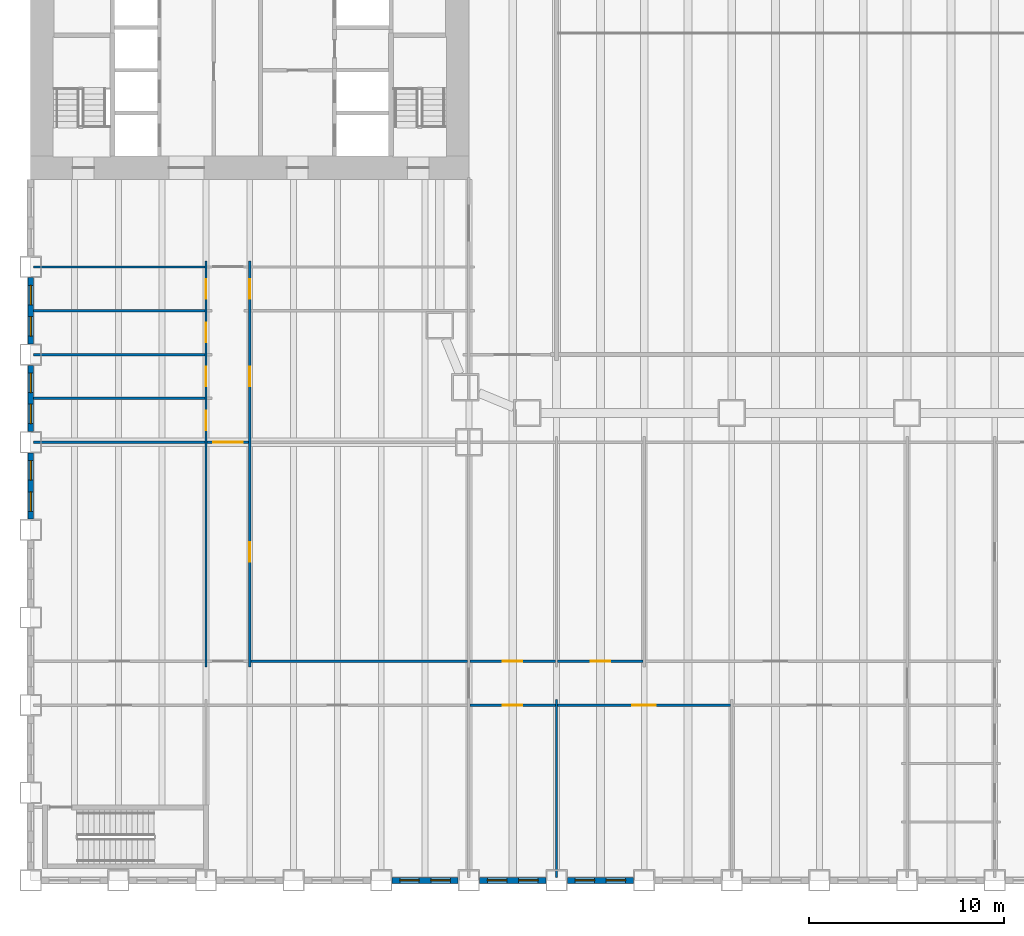
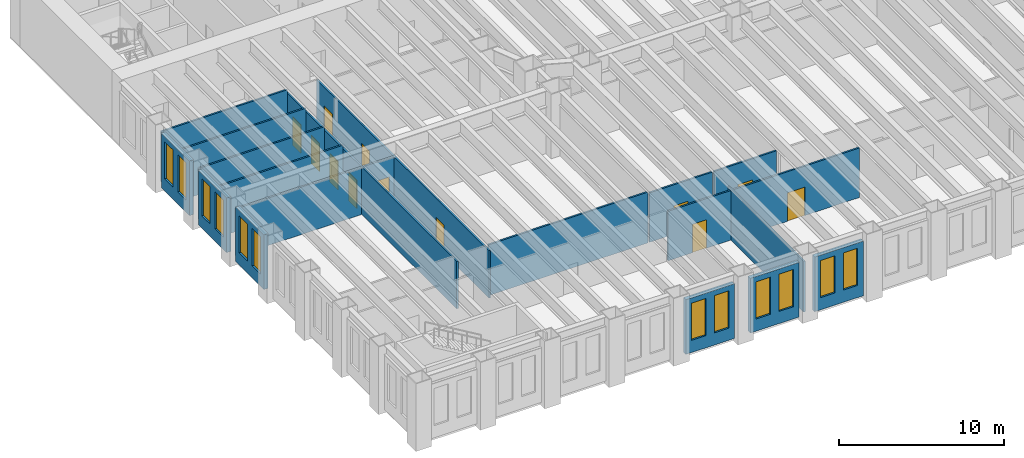
# One storey, part 8 of 19: 20 walls, 12 doors, 12 windows, 24 openings.
"""IFC4 building model written with IfcOpenShell, lengths in metres."""

from ifc_helpers import new_model, si_unit, direction, frame, frame_2d, origin, place, context, subcontext, project, spatial, rectangle, extrude, material, layer, layer_set, type_object, element, fill, save


model = new_model("IFC4")

# Units and contexts
model_context = context("Model", 3, precision=1e-05, world=origin(), true_north=direction((0.0, 1.0)))
body_context = subcontext(model_context, "Body", "Model", "MODEL_VIEW")
ifc_project = project(units=[si_unit("LENGTHUNIT", "METRE"), si_unit("AREAUNIT", "SQUARE_METRE"), si_unit("VOLUMEUNIT", "CUBIC_METRE"), si_unit("PLANEANGLEUNIT", "RADIAN"), si_unit("MASSUNIT", "GRAM", prefix="KILO")], contexts=[model_context])

# Site, building, storey
site_placement = place(None, origin())
site = spatial("IfcSite", under=ifc_project, at=site_placement, CompositionType="ELEMENT")
building_placement = place(site_placement, origin())
building = spatial("IfcBuilding", under=site, at=building_placement, Name="Sennacour Bend Tower", CompositionType="ELEMENT")
storey_placement = place(building_placement, frame((0.0, 0.0, 14.0)))
storey = spatial("IfcBuildingStorey", under=building, at=storey_placement, Name="L02", CompositionType="ELEMENT", Elevation=14.0)

# Wall, openings, doors
ifc_material_1 = material(Name="Plasterboard partition on steel studs", Category="steel")
ifc_layer_1 = layer(ifc_material_1, 0.1201171875, Name="Plasterboard partition on steel studs", Category="steel")
ifc_layer_set_1 = layer_set([ifc_layer_1], Name="Plasterboard partition on steel studs")
wall_type_1 = type_object("IfcWallType", Name="Partition 120", PredefinedType="PARTITIONING", material=ifc_layer_set_1)
wall_1_placement = place(storey_placement, frame((9.0, 10.949951171875, 0.0), z_axis=(0.0, 0.0, 1.0), x_axis=(0.0, 1.0, 0.0)))
wall_1 = element("IfcWall", 1, at=wall_1_placement, inside=storey, type_object=wall_type_1, Name="P-L02-W009a", PredefinedType="PARTITIONING", context=body_context, shape_type="SweptSolid", body=[
    extrude(rectangle(XDim=20.85009765625, YDim=0.1201171875, at=frame_2d((10.425048828125, 0.0))), origin(), (0.0, 0.0, 1.0), 3.5),
])
opening_1_placement = place(wall_1_placement, frame((12.175048828125, 0.0, 0.0)))
opening_1 = element("IfcOpeningElement", 2, at=opening_1_placement, cuts=wall_1, Name="Opening MD2", PredefinedType="OPENING", context=body_context, shape_type="SweptSolid", body=[
    extrude(rectangle(XDim=1.0, YDim=2.10009765625, at=frame_2d((0.5, 1.050048828125))), frame((0.0, 0.070068359375, 0.0), z_axis=(0.0, -1.0, 0.0), x_axis=(1.0, 0.0, 0.0)), (0.0, 0.0, 1.0), 0.14013671875),
])
opening_2_placement = place(wall_1_placement, frame((14.425048828125, 0.0, 0.0)))
opening_2 = element("IfcOpeningElement", 3, at=opening_2_placement, cuts=wall_1, Name="Opening OD2", PredefinedType="OPENING", context=body_context, shape_type="SweptSolid", body=[
    extrude(rectangle(XDim=1.0, YDim=2.10009765625, at=frame_2d((0.5, 1.050048828125))), frame((0.0, 0.070068359375, 0.0), z_axis=(0.0, -1.0, 0.0), x_axis=(1.0, 0.0, 0.0)), (0.0, 0.0, 1.0), 0.14013671875),
])
opening_3_placement = place(wall_1_placement, frame((16.675048828125, 0.0, 0.0)))
opening_3 = element("IfcOpeningElement", 4, at=opening_3_placement, cuts=wall_1, Name="Opening OD2", PredefinedType="OPENING", context=body_context, shape_type="SweptSolid", body=[
    extrude(rectangle(XDim=1.0, YDim=2.10009765625, at=frame_2d((0.5, 1.050048828125))), frame((0.0, 0.070068359375, 0.0), z_axis=(0.0, -1.0, 0.0), x_axis=(1.0, 0.0, 0.0)), (0.0, 0.0, 1.0), 0.14013671875),
])
opening_4_placement = place(wall_1_placement, frame((18.925048828125, 0.0, 0.0)))
opening_4 = element("IfcOpeningElement", 5, at=opening_4_placement, cuts=wall_1, Name="Opening OD2", PredefinedType="OPENING", context=body_context, shape_type="SweptSolid", body=[
    extrude(rectangle(XDim=1.0, YDim=2.10009765625, at=frame_2d((0.5, 1.050048828125))), frame((0.0, 0.070068359375, 0.0), z_axis=(0.0, -1.0, 0.0), x_axis=(1.0, 0.0, 0.0)), (0.0, 0.0, 1.0), 0.14013671875),
])
ifc_material_2 = material(Name="Timber", Category="wood")
door_type_1 = type_object("IfcDoorType", Name="DR-MEETING-1000", OperationType="NOTDEFINED", PredefinedType="DOOR", material=ifc_material_2)
door_1_placement = place(opening_1_placement, origin())
door_1 = element("IfcDoor", 6, at=door_1_placement, inside=storey, type_object=door_type_1, Name="Door", OperationType="SINGLE_SWING_RIGHT", OverallHeight=2.10009765625, OverallWidth=1.0, PredefinedType="DOOR", context=body_context, shape_type="SweptSolid", body=[
    extrude(rectangle(XDim=1.0, YDim=2.10009765625, at=frame_2d((0.5, 1.050048828125))), frame((0.0, 0.02490234375, 0.0), z_axis=(0.0, -1.0, 0.0), x_axis=(1.0, 0.0, 0.0)), (0.0, 0.0, 1.0), 0.050048828125),
])
fill(opening_1, door_1)
door_type_2 = type_object("IfcDoorType", Name="DR-OFFICE-1000", OperationType="NOTDEFINED", PredefinedType="DOOR", material=ifc_material_2)
door_2_placement = place(opening_2_placement, origin())
door_2 = element("IfcDoor", 7, at=door_2_placement, inside=storey, type_object=door_type_2, Name="Door", OperationType="SINGLE_SWING_RIGHT", OverallHeight=2.10009765625, OverallWidth=1.0, PredefinedType="DOOR", context=body_context, shape_type="SweptSolid", body=[
    extrude(rectangle(XDim=1.0, YDim=2.10009765625, at=frame_2d((0.5, 1.050048828125))), frame((0.0, 0.02490234375, 0.0), z_axis=(0.0, -1.0, 0.0), x_axis=(1.0, 0.0, 0.0)), (0.0, 0.0, 1.0), 0.050048828125),
])
fill(opening_2, door_2)
door_3_placement = place(opening_3_placement, origin())
door_3 = element("IfcDoor", 8, at=door_3_placement, inside=storey, type_object=door_type_2, Name="Door", OperationType="SINGLE_SWING_RIGHT", OverallHeight=2.10009765625, OverallWidth=1.0, PredefinedType="DOOR", context=body_context, shape_type="SweptSolid", body=[
    extrude(rectangle(XDim=1.0, YDim=2.10009765625, at=frame_2d((0.5, 1.050048828125))), frame((0.0, 0.02490234375, 0.0), z_axis=(0.0, -1.0, 0.0), x_axis=(1.0, 0.0, 0.0)), (0.0, 0.0, 1.0), 0.050048828125),
])
fill(opening_3, door_3)
door_4_placement = place(opening_4_placement, origin())
door_4 = element("IfcDoor", 9, at=door_4_placement, inside=storey, type_object=door_type_2, Name="Door", OperationType="SINGLE_SWING_RIGHT", OverallHeight=2.10009765625, OverallWidth=1.0, PredefinedType="DOOR", context=body_context, shape_type="SweptSolid", body=[
    extrude(rectangle(XDim=1.0, YDim=2.10009765625, at=frame_2d((0.5, 1.050048828125))), frame((0.0, 0.02490234375, 0.0), z_axis=(0.0, -1.0, 0.0), x_axis=(1.0, 0.0, 0.0)), (0.0, 0.0, 1.0), 0.050048828125),
])
fill(opening_4, door_4)

wall_2_placement = place(storey_placement, frame((11.25, 10.949951171875, 0.0), z_axis=(0.0, 0.0, 1.0), x_axis=(0.0, 1.0, 0.0)))
wall_2 = element("IfcWall", 10, at=wall_2_placement, inside=storey, type_object=wall_type_1, Name="P-L02-W011a", PredefinedType="PARTITIONING", context=body_context, shape_type="SweptSolid", body=[
    extrude(rectangle(XDim=20.85009765625, YDim=0.1201171875, at=frame_2d((10.425048828125, 0.0))), origin(), (0.0, 0.0, 1.0), 3.5),
])
opening_5_placement = place(wall_2_placement, frame((5.425048828125, 0.0, 0.0)))
opening_5 = element("IfcOpeningElement", 11, at=opening_5_placement, cuts=wall_2, Name="Opening OD2", PredefinedType="OPENING", context=body_context, shape_type="SweptSolid", body=[
    extrude(rectangle(XDim=1.0, YDim=2.10009765625, at=frame_2d((0.5, 1.050048828125))), frame((0.0, 0.070068359375, 0.0), z_axis=(0.0, -1.0, 0.0), x_axis=(1.0, 0.0, 0.0)), (0.0, 0.0, 1.0), 0.14013671875),
])
opening_6_placement = place(wall_2_placement, frame((14.425048828125, 0.0, 0.0)))
opening_6 = element("IfcOpeningElement", 12, at=opening_6_placement, cuts=wall_2, Name="Opening OD2", PredefinedType="OPENING", context=body_context, shape_type="SweptSolid", body=[
    extrude(rectangle(XDim=1.0, YDim=2.10009765625, at=frame_2d((0.5, 1.050048828125))), frame((0.0, 0.070068359375, 0.0), z_axis=(0.0, -1.0, 0.0), x_axis=(1.0, 0.0, 0.0)), (0.0, 0.0, 1.0), 0.14013671875),
])
opening_7_placement = place(wall_2_placement, frame((18.925048828125, 0.0, 0.0)))
opening_7 = element("IfcOpeningElement", 13, at=opening_7_placement, cuts=wall_2, Name="Opening OD2", PredefinedType="OPENING", context=body_context, shape_type="SweptSolid", body=[
    extrude(rectangle(XDim=1.0, YDim=2.10009765625, at=frame_2d((0.5, 1.050048828125))), frame((0.0, 0.070068359375, 0.0), z_axis=(0.0, -1.0, 0.0), x_axis=(1.0, 0.0, 0.0)), (0.0, 0.0, 1.0), 0.14013671875),
])
door_5_placement = place(opening_5_placement, origin())
door_5 = element("IfcDoor", 14, at=door_5_placement, inside=storey, type_object=door_type_2, Name="Door", OperationType="SINGLE_SWING_LEFT", OverallHeight=2.10009765625, OverallWidth=1.0, PredefinedType="DOOR", context=body_context, shape_type="SweptSolid", body=[
    extrude(rectangle(XDim=1.0, YDim=2.10009765625, at=frame_2d((0.5, 1.050048828125))), frame((0.0, 0.02490234375, 0.0), z_axis=(0.0, -1.0, 0.0), x_axis=(1.0, 0.0, 0.0)), (0.0, 0.0, 1.0), 0.050048828125),
])
fill(opening_5, door_5)
door_6_placement = place(opening_6_placement, origin())
door_6 = element("IfcDoor", 15, at=door_6_placement, inside=storey, type_object=door_type_2, Name="Door", OperationType="SINGLE_SWING_RIGHT", OverallHeight=2.10009765625, OverallWidth=1.0, PredefinedType="DOOR", context=body_context, shape_type="SweptSolid", body=[
    extrude(rectangle(XDim=1.0, YDim=2.10009765625, at=frame_2d((0.5, 1.050048828125))), frame((0.0, 0.02490234375, 0.0), z_axis=(0.0, -1.0, 0.0), x_axis=(1.0, 0.0, 0.0)), (0.0, 0.0, 1.0), 0.050048828125),
])
fill(opening_6, door_6)
door_7_placement = place(opening_7_placement, origin())
door_7 = element("IfcDoor", 16, at=door_7_placement, inside=storey, type_object=door_type_2, Name="Door", OperationType="SINGLE_SWING_RIGHT", OverallHeight=2.10009765625, OverallWidth=1.0, PredefinedType="DOOR", context=body_context, shape_type="SweptSolid", body=[
    extrude(rectangle(XDim=1.0, YDim=2.10009765625, at=frame_2d((0.5, 1.050048828125))), frame((0.0, 0.02490234375, 0.0), z_axis=(0.0, -1.0, 0.0), x_axis=(1.0, 0.0, 0.0)), (0.0, 0.0, 1.0), 0.050048828125),
])
fill(opening_7, door_7)

# Wall
wall_3_placement = place(storey_placement, frame((27.0, 0.14990234375, 0.0), z_axis=(0.0, 0.0, 1.0), x_axis=(0.0, 1.0, 0.0)))
element("IfcWall", 17, at=wall_3_placement, inside=storey, type_object=wall_type_1, Name="P-L02-W021a", PredefinedType="PARTITIONING", context=body_context, shape_type="SweptSolid", body=[
    extrude(rectangle(XDim=9.150146484375, YDim=0.1201171875, at=frame_2d((4.5751953125, 0.0))), origin(), (0.0, 0.0, 1.0), 3.7587890625),
])

# Wall, opening, door
wall_4_placement = place(storey_placement, frame((22.56005859375, 9.0, 0.0), z_axis=(0.0, 0.0, 1.0), x_axis=(1.0, 0.0, 0.0)))
wall_4 = element("IfcWall", 18, at=wall_4_placement, inside=storey, type_object=wall_type_1, Name="P-L02-W050ac", PredefinedType="PARTITIONING", context=body_context, shape_type="SweptSolid", body=[
    extrude(rectangle(XDim=4.3798828125, YDim=0.1201171875, at=frame_2d((2.18994140625, 0.0))), origin(), (0.0, 0.0, 1.0), 3.66015625),
])
opening_8_placement = place(wall_4_placement, frame((1.68994140625, 0.0, 0.0)))
opening_8 = element("IfcOpeningElement", 19, at=opening_8_placement, cuts=wall_4, Name="Opening MD2", PredefinedType="OPENING", context=body_context, shape_type="SweptSolid", body=[
    extrude(rectangle(XDim=1.0, YDim=2.10009765625, at=frame_2d((0.5, 1.050048828125))), frame((0.0, 0.070068359375, 0.0), z_axis=(0.0, -1.0, 0.0), x_axis=(1.0, 0.0, 0.0)), (0.0, 0.0, 1.0), 0.14013671875),
])
door_8_placement = place(opening_8_placement, origin())
door_8 = element("IfcDoor", 20, at=door_8_placement, inside=storey, type_object=door_type_1, Name="Door", OperationType="SINGLE_SWING_LEFT", OverallHeight=2.10009765625, OverallWidth=1.0, PredefinedType="DOOR", context=body_context, shape_type="SweptSolid", body=[
    extrude(rectangle(XDim=1.0, YDim=2.10009765625, at=frame_2d((0.5, 1.050048828125))), frame((0.0, 0.02490234375, 0.0), z_axis=(0.0, -1.0, 0.0), x_axis=(1.0, 0.0, 0.0)), (0.0, 0.0, 1.0), 0.050048828125),
])
fill(opening_8, door_8)

wall_5_placement = place(storey_placement, frame((27.06005859375, 9.0, 0.0), z_axis=(0.0, 0.0, 1.0), x_axis=(1.0, 0.0, 0.0)))
wall_5 = element("IfcWall", 21, at=wall_5_placement, inside=storey, type_object=wall_type_1, Name="P-L02-W050ad", PredefinedType="PARTITIONING", context=body_context, shape_type="SweptSolid", body=[
    extrude(rectangle(XDim=8.8798828125, YDim=0.1201171875, at=frame_2d((4.43994140625, 0.0))), origin(), (0.0, 0.0, 1.0), 3.66015625),
])
opening_9_placement = place(wall_5_placement, frame((3.83984375, 0.0, 0.0)))
opening_9 = element("IfcOpeningElement", 22, at=opening_9_placement, cuts=wall_5, Name="Opening OD", PredefinedType="OPENING", context=body_context, shape_type="SweptSolid", body=[
    extrude(rectangle(XDim=1.199951171875, YDim=2.10009765625, at=frame_2d((0.60009765625, 1.050048828125))), frame((0.0, 0.070068359375, 0.0), z_axis=(0.0, -1.0, 0.0), x_axis=(1.0, 0.0, 0.0)), (0.0, 0.0, 1.0), 0.14013671875),
])
door_type_3 = type_object("IfcDoorType", Name="DR-OFFICE-1200", OperationType="NOTDEFINED", PredefinedType="DOOR", material=ifc_material_2)
door_9_placement = place(opening_9_placement, origin())
door_9 = element("IfcDoor", 23, at=door_9_placement, inside=storey, type_object=door_type_3, Name="Door", OperationType="SINGLE_SWING_LEFT", OverallHeight=2.10009765625, OverallWidth=1.199951171875, PredefinedType="DOOR", context=body_context, shape_type="SweptSolid", body=[
    extrude(rectangle(XDim=1.199951171875, YDim=2.10009765625, at=frame_2d((0.60009765625, 1.050048828125))), frame((0.0, 0.02490234375, 0.0), z_axis=(0.0, -1.0, 0.0), x_axis=(1.0, 0.0, 0.0)), (0.0, 0.0, 1.0), 0.050048828125),
])
fill(opening_9, door_9)

# Wall
wall_6_placement = place(storey_placement, frame((11.31005859375, 11.25, 0.0), z_axis=(0.0, 0.0, 1.0), x_axis=(1.0, 0.0, 0.0)))
element("IfcWall", 24, at=wall_6_placement, inside=storey, type_object=wall_type_1, Name="P-L02-W052ac", PredefinedType="PARTITIONING", context=body_context, shape_type="SweptSolid", body=[
    extrude(rectangle(XDim=11.1298828125, YDim=0.1201171875, at=frame_2d((5.56494140625, 0.0))), origin(), (0.0, 0.0, 1.0), 3.7587890625),
])

# Wall, opening, door
wall_7_placement = place(storey_placement, frame((22.56005859375, 11.25, 0.0), z_axis=(0.0, 0.0, 1.0), x_axis=(1.0, 0.0, 0.0)))
wall_7 = element("IfcWall", 25, at=wall_7_placement, inside=storey, type_object=wall_type_1, Name="P-L02-W052ad", PredefinedType="PARTITIONING", context=body_context, shape_type="SweptSolid", body=[
    extrude(rectangle(XDim=4.3798828125, YDim=0.1201171875, at=frame_2d((2.18994140625, 0.0))), origin(), (0.0, 0.0, 1.0), 3.66015625),
])
opening_10_placement = place(wall_7_placement, frame((1.68994140625, 0.0, 0.0)))
opening_10 = element("IfcOpeningElement", 26, at=opening_10_placement, cuts=wall_7, Name="Opening OD2", PredefinedType="OPENING", context=body_context, shape_type="SweptSolid", body=[
    extrude(rectangle(XDim=1.0, YDim=2.10009765625, at=frame_2d((0.5, 1.050048828125))), frame((0.0, 0.070068359375, 0.0), z_axis=(0.0, -1.0, 0.0), x_axis=(1.0, 0.0, 0.0)), (0.0, 0.0, 1.0), 0.14013671875),
])
door_10_placement = place(opening_10_placement, origin())
door_10 = element("IfcDoor", 27, at=door_10_placement, inside=storey, type_object=door_type_2, Name="Door", OperationType="SINGLE_SWING_LEFT", OverallHeight=2.10009765625, OverallWidth=1.0, PredefinedType="DOOR", context=body_context, shape_type="SweptSolid", body=[
    extrude(rectangle(XDim=1.0, YDim=2.10009765625, at=frame_2d((0.5, 1.050048828125))), frame((0.0, 0.02490234375, 0.0), z_axis=(0.0, -1.0, 0.0), x_axis=(1.0, 0.0, 0.0)), (0.0, 0.0, 1.0), 0.050048828125),
])
fill(opening_10, door_10)

wall_8_placement = place(storey_placement, frame((27.06005859375, 11.25, 0.0), z_axis=(0.0, 0.0, 1.0), x_axis=(1.0, 0.0, 0.0)))
wall_8 = element("IfcWall", 28, at=wall_8_placement, inside=storey, type_object=wall_type_1, Name="P-L02-W052ae", PredefinedType="PARTITIONING", context=body_context, shape_type="SweptSolid", body=[
    extrude(rectangle(XDim=4.3798828125, YDim=0.1201171875, at=frame_2d((2.18994140625, 0.0))), origin(), (0.0, 0.0, 1.0), 3.66015625),
])
opening_11_placement = place(wall_8_placement, frame((1.68994140625, 0.0, 0.0)))
opening_11 = element("IfcOpeningElement", 29, at=opening_11_placement, cuts=wall_8, Name="Opening OD2", PredefinedType="OPENING", context=body_context, shape_type="SweptSolid", body=[
    extrude(rectangle(XDim=1.0, YDim=2.10009765625, at=frame_2d((0.5, 1.050048828125))), frame((0.0, 0.070068359375, 0.0), z_axis=(0.0, -1.0, 0.0), x_axis=(1.0, 0.0, 0.0)), (0.0, 0.0, 1.0), 0.14013671875),
])
door_11_placement = place(opening_11_placement, origin())
door_11 = element("IfcDoor", 30, at=door_11_placement, inside=storey, type_object=door_type_2, Name="Door", OperationType="SINGLE_SWING_LEFT", OverallHeight=2.10009765625, OverallWidth=1.0, PredefinedType="DOOR", context=body_context, shape_type="SweptSolid", body=[
    extrude(rectangle(XDim=1.0, YDim=2.10009765625, at=frame_2d((0.5, 1.050048828125))), frame((0.0, 0.02490234375, 0.0), z_axis=(0.0, -1.0, 0.0), x_axis=(1.0, 0.0, 0.0)), (0.0, 0.0, 1.0), 0.050048828125),
])
fill(opening_11, door_11)

# Walls
wall_9_placement = place(storey_placement, frame((0.14990234375, 22.5, 0.0), z_axis=(0.0, 0.0, 1.0), x_axis=(1.0, 0.0, 0.0)))
element("IfcWall", 31, at=wall_9_placement, inside=storey, type_object=wall_type_1, Name="P-L02-W061aa", PredefinedType="PARTITIONING", context=body_context, shape_type="SweptSolid", body=[
    extrude(rectangle(XDim=8.7900390625, YDim=0.1201171875, at=frame_2d((4.39501953125, 0.0))), origin(), (0.0, 0.0, 1.0), 3.5),
])
for number, where, z_axis, x_axis, name in (
    (32, (0.14990234375, 24.75, 0.0), (0.0, 0.0, 1.0), (1.0, 0.0, 0.0), "P-L02-W062aa"),
    (33, (0.14990234375, 27.0, 0.0), (0.0, 0.0, 1.0), (1.0, 0.0, 0.0), "P-L02-W063aa"),
    (34, (0.14990234375, 29.25, 0.0), (0.0, 0.0, 1.0), (1.0, 0.0, 0.0), "P-L02-W067aa"),
    (35, (0.14990234375, 31.5, 0.0), (0.0, 0.0, 1.0), (1.0, 0.0, 0.0), "P-L02-W069aa"),
):
    element("IfcWall", number, at=place(storey_placement, frame(where, z_axis=z_axis, x_axis=x_axis)), inside=storey, type_object=wall_type_1, Name=name, PredefinedType="PARTITIONING", context=body_context, shape_type="SweptSolid", body=[
        extrude(rectangle(XDim=8.7900390625, YDim=0.1201171875, at=frame_2d((4.39501953125, 0.0))), origin(), (0.0, 0.0, 1.0), 3.7587890625),
    ])

# Wall, opening, door
ifc_layer_2 = layer(ifc_material_1, 0.1201171875, Name="Plasterboard partition on steel studs", Category="steel")
ifc_layer_set_2 = layer_set([ifc_layer_2], Name="Plasterboard partition on steel studs")
wall_type_2 = type_object("IfcWallType", Name="Partition 120 EI 30", PredefinedType="PARTITIONING", material=ifc_layer_set_2)
wall_10_placement = place(storey_placement, frame((9.06005859375, 22.5, 0.0), z_axis=(0.0, 0.0, 1.0), x_axis=(1.0, 0.0, 0.0)))
wall_10 = element("IfcWall", 36, at=wall_10_placement, inside=storey, type_object=wall_type_2, Name="P-L02-W061ab", PredefinedType="PARTITIONING", context=body_context, shape_type="SweptSolid", body=[
    extrude(rectangle(XDim=2.1298828125, YDim=0.1201171875, at=frame_2d((1.06494140625, 0.0))), origin(), (0.0, 0.0, 1.0), 3.5),
])
opening_12_placement = place(wall_10_placement, frame((0.31494140625, 0.0, 0.0)))
opening_12 = element("IfcOpeningElement", 37, at=opening_12_placement, cuts=wall_10, Name="Opening KD", PredefinedType="OPENING", context=body_context, shape_type="SweptSolid", body=[
    extrude(rectangle(XDim=1.5, YDim=2.10009765625, at=frame_2d((0.75, 1.050048828125))), frame((0.0, 0.070068359375, 0.0), z_axis=(0.0, -1.0, 0.0), x_axis=(1.0, 0.0, 0.0)), (0.0, 0.0, 1.0), 0.14013671875),
])
ifc_material_3 = material(Name="Painted steel", Category="steel")
door_type_4 = type_object("IfcDoorType", Name="DR-CORRIDOR-1500", OperationType="NOTDEFINED", PredefinedType="DOOR", material=ifc_material_3)
door_12_placement = place(opening_12_placement, origin())
door_12 = element("IfcDoor", 38, at=door_12_placement, inside=storey, type_object=door_type_4, Name="Door", OperationType="SINGLE_SWING_LEFT", OverallHeight=2.10009765625, OverallWidth=1.5, PredefinedType="DOOR", context=body_context, shape_type="SweptSolid", body=[
    extrude(rectangle(XDim=1.5, YDim=2.10009765625, at=frame_2d((0.75, 1.050048828125))), frame((0.0, 0.02490234375, 0.0), z_axis=(0.0, -1.0, 0.0), x_axis=(1.0, 0.0, 0.0)), (0.0, 0.0, 1.0), 0.050048828125),
])
fill(opening_12, door_12)

# Wall, openings, windows
ifc_material_4 = material(Name="Warm limestone cladding", Category="masonry")
ifc_layer_3 = layer(ifc_material_4, 0.050048828125, Name="Warm limestone cladding", Category="masonry")
ifc_material_5 = material(Name="Precast concrete C40/50", Category="concrete")
ifc_layer_4 = layer(ifc_material_5, 0.25, Name="Precast concrete C40/50", Category="concrete")
ifc_layer_set_3 = layer_set([ifc_layer_3, ifc_layer_4], Name="Precast concrete C40/50 with limestone cladding")
wall_type_3 = type_object("IfcWallType", Name="STONE-CLAD PRECAST SPANDREL 300", PredefinedType="STANDARD", material=ifc_layer_set_3)
wall_11_placement = place(storey_placement, frame((0.0, 30.949951171875, 0.0), z_axis=(0.0, 0.0, 1.0), x_axis=(0.0, -1.0, 0.0)))
wall_11 = element("IfcWall", 39, at=wall_11_placement, inside=storey, type_object=wall_type_3, Name="Stone spandrel and pier wall L02 02.01", PredefinedType="STANDARD", context=body_context, shape_type="SweptSolid", body=[
    extrude(rectangle(XDim=3.39990234375, YDim=0.300048828125, at=frame_2d((1.699951171875, 0.0))), origin(), (0.0, 0.0, 1.0), 4.035888671875),
])
opening_13_placement = place(wall_11_placement, frame((0.39990234375, 0.0, 0.89990234375)))
opening_13 = element("IfcOpeningElement", 40, at=opening_13_placement, cuts=wall_11, Name="Opening W3", PredefinedType="OPENING", context=body_context, shape_type="SweptSolid", body=[
    extrude(rectangle(XDim=1.0, YDim=2.75, at=frame_2d((0.5, 1.375))), frame((0.0, 0.16015625, 0.0), z_axis=(0.0, -1.0, 0.0), x_axis=(1.0, 0.0, 0.0)), (0.0, 0.0, 1.0), 0.320068359375),
])
opening_14_placement = place(wall_11_placement, frame((2.0, 0.0, 0.89990234375)))
opening_14 = element("IfcOpeningElement", 41, at=opening_14_placement, cuts=wall_11, Name="Opening W3", PredefinedType="OPENING", context=body_context, shape_type="SweptSolid", body=[
    extrude(rectangle(XDim=1.0, YDim=2.75, at=frame_2d((0.5, 1.375))), frame((0.0, 0.16015625, 0.0), z_axis=(0.0, -1.0, 0.0), x_axis=(1.0, 0.0, 0.0)), (0.0, 0.0, 1.0), 0.320068359375),
])
ifc_material_6 = material(Name="Clear low-emissivity glass", Category="glass")
window_type = type_object("IfcWindowType", Name="WIN-RIBBON-1000x2750", PartitioningType="SINGLE_PANEL", PredefinedType="WINDOW", material=ifc_material_6)
window_1_placement = place(opening_13_placement, origin())
window_1 = element("IfcWindow", 42, at=window_1_placement, inside=storey, type_object=window_type, Name="Ribbon window L02 02.01.0", OverallHeight=2.75, OverallWidth=1.0, PartitioningType="SINGLE_PANEL", PredefinedType="WINDOW", context=body_context, shape_type="SweptSolid", body=[
    extrude(rectangle(XDim=1.0, YDim=2.75, at=frame_2d((0.5, 1.375))), frame((0.0, 0.030029296875, 0.0), z_axis=(0.0, -1.0, 0.0), x_axis=(1.0, 0.0, 0.0)), (0.0, 0.0, 1.0), 0.06005859375),
])
fill(opening_13, window_1)
window_2_placement = place(opening_14_placement, origin())
window_2 = element("IfcWindow", 43, at=window_2_placement, inside=storey, type_object=window_type, Name="Ribbon window L02 02.01.1", OverallHeight=2.75, OverallWidth=1.0, PartitioningType="SINGLE_PANEL", PredefinedType="WINDOW", context=body_context, shape_type="SweptSolid", body=[
    extrude(rectangle(XDim=1.0, YDim=2.75, at=frame_2d((0.5, 1.375))), frame((0.0, 0.030029296875, 0.0), z_axis=(0.0, -1.0, 0.0), x_axis=(1.0, 0.0, 0.0)), (0.0, 0.0, 1.0), 0.06005859375),
])
fill(opening_14, window_2)

wall_12_placement = place(storey_placement, frame((0.0, 26.449951171875, 0.0), z_axis=(0.0, 0.0, 1.0), x_axis=(0.0, -1.0, 0.0)))
wall_12 = element("IfcWall", 44, at=wall_12_placement, inside=storey, type_object=wall_type_3, Name="Stone spandrel and pier wall L02 02.02", PredefinedType="STANDARD", context=body_context, shape_type="SweptSolid", body=[
    extrude(rectangle(XDim=3.39990234375, YDim=0.300048828125, at=frame_2d((1.699951171875, 0.0))), origin(), (0.0, 0.0, 1.0), 4.035888671875),
])
opening_15_placement = place(wall_12_placement, frame((0.39990234375, 0.0, 0.89990234375)))
opening_15 = element("IfcOpeningElement", 45, at=opening_15_placement, cuts=wall_12, Name="Opening W3", PredefinedType="OPENING", context=body_context, shape_type="SweptSolid", body=[
    extrude(rectangle(XDim=1.0, YDim=2.75, at=frame_2d((0.5, 1.375))), frame((0.0, 0.16015625, 0.0), z_axis=(0.0, -1.0, 0.0), x_axis=(1.0, 0.0, 0.0)), (0.0, 0.0, 1.0), 0.320068359375),
])
opening_16_placement = place(wall_12_placement, frame((2.0, 0.0, 0.89990234375)))
opening_16 = element("IfcOpeningElement", 46, at=opening_16_placement, cuts=wall_12, Name="Opening W3", PredefinedType="OPENING", context=body_context, shape_type="SweptSolid", body=[
    extrude(rectangle(XDim=1.0, YDim=2.75, at=frame_2d((0.5, 1.375))), frame((0.0, 0.16015625, 0.0), z_axis=(0.0, -1.0, 0.0), x_axis=(1.0, 0.0, 0.0)), (0.0, 0.0, 1.0), 0.320068359375),
])
window_3_placement = place(opening_15_placement, origin())
window_3 = element("IfcWindow", 47, at=window_3_placement, inside=storey, type_object=window_type, Name="Ribbon window L02 02.02.0", OverallHeight=2.75, OverallWidth=1.0, PartitioningType="SINGLE_PANEL", PredefinedType="WINDOW", context=body_context, shape_type="SweptSolid", body=[
    extrude(rectangle(XDim=1.0, YDim=2.75, at=frame_2d((0.5, 1.375))), frame((0.0, 0.030029296875, 0.0), z_axis=(0.0, -1.0, 0.0), x_axis=(1.0, 0.0, 0.0)), (0.0, 0.0, 1.0), 0.06005859375),
])
fill(opening_15, window_3)
window_4_placement = place(opening_16_placement, origin())
window_4 = element("IfcWindow", 48, at=window_4_placement, inside=storey, type_object=window_type, Name="Ribbon window L02 02.02.1", OverallHeight=2.75, OverallWidth=1.0, PartitioningType="SINGLE_PANEL", PredefinedType="WINDOW", context=body_context, shape_type="SweptSolid", body=[
    extrude(rectangle(XDim=1.0, YDim=2.75, at=frame_2d((0.5, 1.375))), frame((0.0, 0.030029296875, 0.0), z_axis=(0.0, -1.0, 0.0), x_axis=(1.0, 0.0, 0.0)), (0.0, 0.0, 1.0), 0.06005859375),
])
fill(opening_16, window_4)

wall_13_placement = place(storey_placement, frame((0.0, 21.949951171875, 0.0), z_axis=(0.0, 0.0, 1.0), x_axis=(0.0, -1.0, 0.0)))
wall_13 = element("IfcWall", 49, at=wall_13_placement, inside=storey, type_object=wall_type_3, Name="Stone spandrel and pier wall L02 02.03", PredefinedType="STANDARD", context=body_context, shape_type="SweptSolid", body=[
    extrude(rectangle(XDim=3.39990234375, YDim=0.300048828125, at=frame_2d((1.699951171875, 0.0))), origin(), (0.0, 0.0, 1.0), 4.035888671875),
])
opening_17_placement = place(wall_13_placement, frame((0.39990234375, 0.0, 0.89990234375)))
opening_17 = element("IfcOpeningElement", 50, at=opening_17_placement, cuts=wall_13, Name="Opening W3", PredefinedType="OPENING", context=body_context, shape_type="SweptSolid", body=[
    extrude(rectangle(XDim=1.0, YDim=2.75, at=frame_2d((0.5, 1.375))), frame((0.0, 0.16015625, 0.0), z_axis=(0.0, -1.0, 0.0), x_axis=(1.0, 0.0, 0.0)), (0.0, 0.0, 1.0), 0.320068359375),
])
opening_18_placement = place(wall_13_placement, frame((2.0, 0.0, 0.89990234375)))
opening_18 = element("IfcOpeningElement", 51, at=opening_18_placement, cuts=wall_13, Name="Opening W3", PredefinedType="OPENING", context=body_context, shape_type="SweptSolid", body=[
    extrude(rectangle(XDim=1.0, YDim=2.75, at=frame_2d((0.5, 1.375))), frame((0.0, 0.16015625, 0.0), z_axis=(0.0, -1.0, 0.0), x_axis=(1.0, 0.0, 0.0)), (0.0, 0.0, 1.0), 0.320068359375),
])
window_5_placement = place(opening_17_placement, origin())
window_5 = element("IfcWindow", 52, at=window_5_placement, inside=storey, type_object=window_type, Name="Ribbon window L02 02.03.0", OverallHeight=2.75, OverallWidth=1.0, PartitioningType="SINGLE_PANEL", PredefinedType="WINDOW", context=body_context, shape_type="SweptSolid", body=[
    extrude(rectangle(XDim=1.0, YDim=2.75, at=frame_2d((0.5, 1.375))), frame((0.0, 0.030029296875, 0.0), z_axis=(0.0, -1.0, 0.0), x_axis=(1.0, 0.0, 0.0)), (0.0, 0.0, 1.0), 0.06005859375),
])
fill(opening_17, window_5)
window_6_placement = place(opening_18_placement, origin())
window_6 = element("IfcWindow", 53, at=window_6_placement, inside=storey, type_object=window_type, Name="Ribbon window L02 02.03.1", OverallHeight=2.75, OverallWidth=1.0, PartitioningType="SINGLE_PANEL", PredefinedType="WINDOW", context=body_context, shape_type="SweptSolid", body=[
    extrude(rectangle(XDim=1.0, YDim=2.75, at=frame_2d((0.5, 1.375))), frame((0.0, 0.030029296875, 0.0), z_axis=(0.0, -1.0, 0.0), x_axis=(1.0, 0.0, 0.0)), (0.0, 0.0, 1.0), 0.06005859375),
])
fill(opening_18, window_6)

wall_14_placement = place(storey_placement, frame((18.550048828125, 0.0, 0.0), z_axis=(0.0, 0.0, 1.0), x_axis=(1.0, 0.0, 0.0)))
wall_14 = element("IfcWall", 54, at=wall_14_placement, inside=storey, type_object=wall_type_3, Name="Stone spandrel and pier wall L02 03.04", PredefinedType="STANDARD", context=body_context, shape_type="SweptSolid", body=[
    extrude(rectangle(XDim=3.39990234375, YDim=0.300048828125, at=frame_2d((1.699951171875, 0.0))), origin(), (0.0, 0.0, 1.0), 4.035888671875),
])
opening_19_placement = place(wall_14_placement, frame((0.39990234375, 0.0, 0.89990234375)))
opening_19 = element("IfcOpeningElement", 55, at=opening_19_placement, cuts=wall_14, Name="Opening W3", PredefinedType="OPENING", context=body_context, shape_type="SweptSolid", body=[
    extrude(rectangle(XDim=1.0, YDim=2.75, at=frame_2d((0.5, 1.375))), frame((0.0, 0.16015625, 0.0), z_axis=(0.0, -1.0, 0.0), x_axis=(1.0, 0.0, 0.0)), (0.0, 0.0, 1.0), 0.320068359375),
])
opening_20_placement = place(wall_14_placement, frame((2.0, 0.0, 0.89990234375)))
opening_20 = element("IfcOpeningElement", 56, at=opening_20_placement, cuts=wall_14, Name="Opening W3", PredefinedType="OPENING", context=body_context, shape_type="SweptSolid", body=[
    extrude(rectangle(XDim=1.0, YDim=2.75, at=frame_2d((0.5, 1.375))), frame((0.0, 0.16015625, 0.0), z_axis=(0.0, -1.0, 0.0), x_axis=(1.0, 0.0, 0.0)), (0.0, 0.0, 1.0), 0.320068359375),
])
window_7_placement = place(opening_19_placement, origin())
window_7 = element("IfcWindow", 57, at=window_7_placement, inside=storey, type_object=window_type, Name="Ribbon window L02 03.04.0", OverallHeight=2.75, OverallWidth=1.0, PartitioningType="SINGLE_PANEL", PredefinedType="WINDOW", context=body_context, shape_type="SweptSolid", body=[
    extrude(rectangle(XDim=1.0, YDim=2.75, at=frame_2d((0.5, 1.375))), frame((0.0, 0.030029296875, 0.0), z_axis=(0.0, -1.0, 0.0), x_axis=(1.0, 0.0, 0.0)), (0.0, 0.0, 1.0), 0.06005859375),
])
fill(opening_19, window_7)
window_8_placement = place(opening_20_placement, origin())
window_8 = element("IfcWindow", 58, at=window_8_placement, inside=storey, type_object=window_type, Name="Ribbon window L02 03.04.1", OverallHeight=2.75, OverallWidth=1.0, PartitioningType="SINGLE_PANEL", PredefinedType="WINDOW", context=body_context, shape_type="SweptSolid", body=[
    extrude(rectangle(XDim=1.0, YDim=2.75, at=frame_2d((0.5, 1.375))), frame((0.0, 0.030029296875, 0.0), z_axis=(0.0, -1.0, 0.0), x_axis=(1.0, 0.0, 0.0)), (0.0, 0.0, 1.0), 0.06005859375),
])
fill(opening_20, window_8)

wall_15_placement = place(storey_placement, frame((23.050048828125, 0.0, 0.0), z_axis=(0.0, 0.0, 1.0), x_axis=(1.0, 0.0, 0.0)))
wall_15 = element("IfcWall", 59, at=wall_15_placement, inside=storey, type_object=wall_type_3, Name="Stone spandrel and pier wall L02 03.05", PredefinedType="STANDARD", context=body_context, shape_type="SweptSolid", body=[
    extrude(rectangle(XDim=3.39990234375, YDim=0.300048828125, at=frame_2d((1.699951171875, 0.0))), origin(), (0.0, 0.0, 1.0), 4.035888671875),
])
opening_21_placement = place(wall_15_placement, frame((0.39990234375, 0.0, 0.89990234375)))
opening_21 = element("IfcOpeningElement", 60, at=opening_21_placement, cuts=wall_15, Name="Opening W3", PredefinedType="OPENING", context=body_context, shape_type="SweptSolid", body=[
    extrude(rectangle(XDim=1.0, YDim=2.75, at=frame_2d((0.5, 1.375))), frame((0.0, 0.16015625, 0.0), z_axis=(0.0, -1.0, 0.0), x_axis=(1.0, 0.0, 0.0)), (0.0, 0.0, 1.0), 0.320068359375),
])
opening_22_placement = place(wall_15_placement, frame((2.0, 0.0, 0.89990234375)))
opening_22 = element("IfcOpeningElement", 61, at=opening_22_placement, cuts=wall_15, Name="Opening W3", PredefinedType="OPENING", context=body_context, shape_type="SweptSolid", body=[
    extrude(rectangle(XDim=1.0, YDim=2.75, at=frame_2d((0.5, 1.375))), frame((0.0, 0.16015625, 0.0), z_axis=(0.0, -1.0, 0.0), x_axis=(1.0, 0.0, 0.0)), (0.0, 0.0, 1.0), 0.320068359375),
])
window_9_placement = place(opening_21_placement, origin())
window_9 = element("IfcWindow", 62, at=window_9_placement, inside=storey, type_object=window_type, Name="Ribbon window L02 03.05.0", OverallHeight=2.75, OverallWidth=1.0, PartitioningType="SINGLE_PANEL", PredefinedType="WINDOW", context=body_context, shape_type="SweptSolid", body=[
    extrude(rectangle(XDim=1.0, YDim=2.75, at=frame_2d((0.5, 1.375))), frame((0.0, 0.030029296875, 0.0), z_axis=(0.0, -1.0, 0.0), x_axis=(1.0, 0.0, 0.0)), (0.0, 0.0, 1.0), 0.06005859375),
])
fill(opening_21, window_9)
window_10_placement = place(opening_22_placement, origin())
window_10 = element("IfcWindow", 63, at=window_10_placement, inside=storey, type_object=window_type, Name="Ribbon window L02 03.05.1", OverallHeight=2.75, OverallWidth=1.0, PartitioningType="SINGLE_PANEL", PredefinedType="WINDOW", context=body_context, shape_type="SweptSolid", body=[
    extrude(rectangle(XDim=1.0, YDim=2.75, at=frame_2d((0.5, 1.375))), frame((0.0, 0.030029296875, 0.0), z_axis=(0.0, -1.0, 0.0), x_axis=(1.0, 0.0, 0.0)), (0.0, 0.0, 1.0), 0.06005859375),
])
fill(opening_22, window_10)

wall_16_placement = place(storey_placement, frame((27.550048828125, 0.0, 0.0), z_axis=(0.0, 0.0, 1.0), x_axis=(1.0, 0.0, 0.0)))
wall_16 = element("IfcWall", 64, at=wall_16_placement, inside=storey, type_object=wall_type_3, Name="Stone spandrel and pier wall L02 03.06", PredefinedType="STANDARD", context=body_context, shape_type="SweptSolid", body=[
    extrude(rectangle(XDim=3.39990234375, YDim=0.300048828125, at=frame_2d((1.699951171875, 0.0))), origin(), (0.0, 0.0, 1.0), 4.035888671875),
])
opening_23_placement = place(wall_16_placement, frame((0.39990234375, 0.0, 0.89990234375)))
opening_23 = element("IfcOpeningElement", 65, at=opening_23_placement, cuts=wall_16, Name="Opening W3", PredefinedType="OPENING", context=body_context, shape_type="SweptSolid", body=[
    extrude(rectangle(XDim=1.0, YDim=2.75, at=frame_2d((0.5, 1.375))), frame((0.0, 0.16015625, 0.0), z_axis=(0.0, -1.0, 0.0), x_axis=(1.0, 0.0, 0.0)), (0.0, 0.0, 1.0), 0.320068359375),
])
opening_24_placement = place(wall_16_placement, frame((2.0, 0.0, 0.89990234375)))
opening_24 = element("IfcOpeningElement", 66, at=opening_24_placement, cuts=wall_16, Name="Opening W3", PredefinedType="OPENING", context=body_context, shape_type="SweptSolid", body=[
    extrude(rectangle(XDim=1.0, YDim=2.75, at=frame_2d((0.5, 1.375))), frame((0.0, 0.16015625, 0.0), z_axis=(0.0, -1.0, 0.0), x_axis=(1.0, 0.0, 0.0)), (0.0, 0.0, 1.0), 0.320068359375),
])
window_11_placement = place(opening_23_placement, origin())
window_11 = element("IfcWindow", 67, at=window_11_placement, inside=storey, type_object=window_type, Name="Ribbon window L02 03.06.0", OverallHeight=2.75, OverallWidth=1.0, PartitioningType="SINGLE_PANEL", PredefinedType="WINDOW", context=body_context, shape_type="SweptSolid", body=[
    extrude(rectangle(XDim=1.0, YDim=2.75, at=frame_2d((0.5, 1.375))), frame((0.0, 0.030029296875, 0.0), z_axis=(0.0, -1.0, 0.0), x_axis=(1.0, 0.0, 0.0)), (0.0, 0.0, 1.0), 0.06005859375),
])
fill(opening_23, window_11)
window_12_placement = place(opening_24_placement, origin())
window_12 = element("IfcWindow", 68, at=window_12_placement, inside=storey, type_object=window_type, Name="Ribbon window L02 03.06.1", OverallHeight=2.75, OverallWidth=1.0, PartitioningType="SINGLE_PANEL", PredefinedType="WINDOW", context=body_context, shape_type="SweptSolid", body=[
    extrude(rectangle(XDim=1.0, YDim=2.75, at=frame_2d((0.5, 1.375))), frame((0.0, 0.030029296875, 0.0), z_axis=(0.0, -1.0, 0.0), x_axis=(1.0, 0.0, 0.0)), (0.0, 0.0, 1.0), 0.06005859375),
])
fill(opening_24, window_12)

save(model, "model.ifc")
